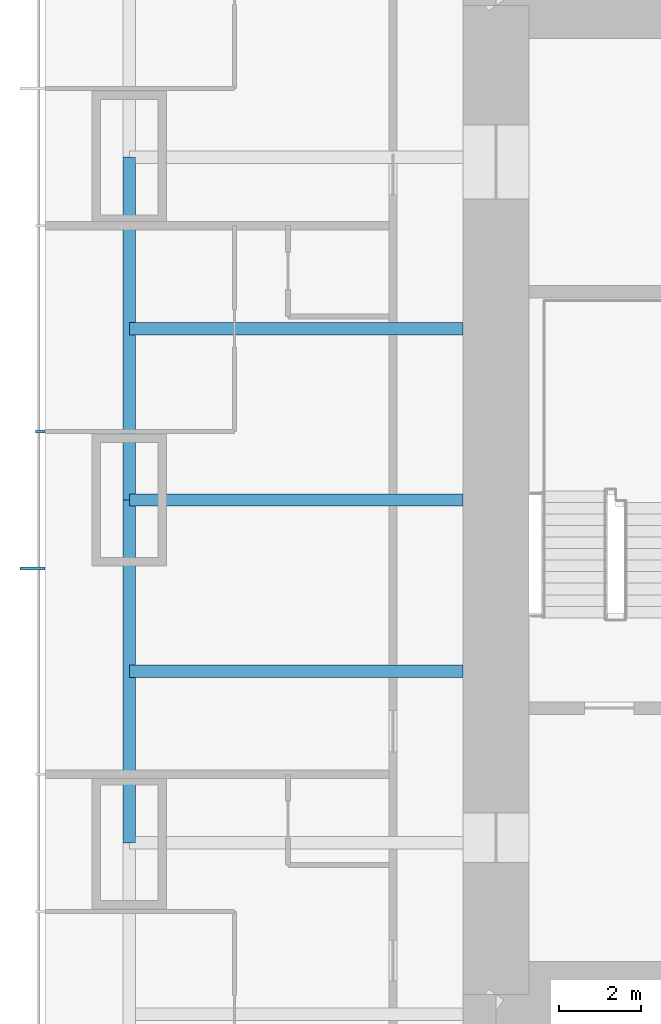
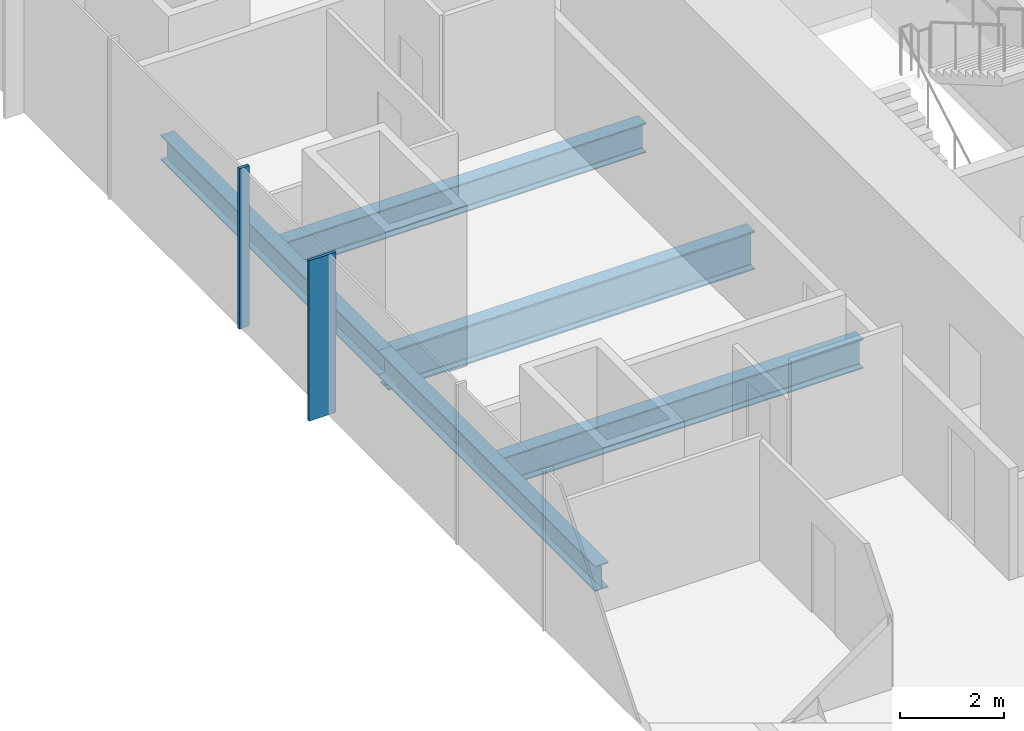
# One storey, part 3 of 12: 5 beams, 2 members, 1 element without a shape of its own.
"""IFC4 building model written with IfcOpenShell, lengths in metres."""

from ifc_helpers import new_model, si_unit, direction, frame, origin, origin_2d, place, context, subcontext, project, spatial, rectangle, i_section, extrude, material, material_profile, profile_set, type_object, element, aggregate, save


model = new_model("IFC4")

# Units and contexts
model_context = context("Model", 3, precision=1e-05, world=origin(), true_north=direction((0.0, 1.0)))
body_context = subcontext(model_context, "Body", "Model", "MODEL_VIEW")
ifc_project = project(units=[si_unit("LENGTHUNIT", "METRE"), si_unit("AREAUNIT", "SQUARE_METRE"), si_unit("VOLUMEUNIT", "CUBIC_METRE"), si_unit("PLANEANGLEUNIT", "RADIAN"), si_unit("MASSUNIT", "GRAM", prefix="KILO")], contexts=[model_context])

# Site, building, storey
site_placement = place(None, origin())
site = spatial("IfcSite", under=ifc_project, at=site_placement, CompositionType="ELEMENT")
building_placement = place(site_placement, origin())
building = spatial("IfcBuilding", under=site, at=building_placement, Name="Khuree Lantern Residences", CompositionType="ELEMENT")
storey_placement = place(building_placement, frame((0.0, 0.0, 203.25)))
storey = spatial("IfcBuildingStorey", under=building, at=storey_placement, Name="L50", CompositionType="ELEMENT", Elevation=203.25)

# Beams
ifc_material_1 = material(Name="Steel S355", Category="steel")
ifc_material_profile_1 = material_profile(ifc_material_1, i_section(OverallWidth=0.300048828125, OverallDepth=0.68994140625, WebThickness=0.014404296875, FlangeThickness=0.027099609375, FilletRadius=0.027099609375, at=origin_2d()), Name="HE 700 A")
ifc_profile_set_1 = profile_set([ifc_material_profile_1], Name="Steel S355")
beam_type_1 = type_object("IfcBeamType", Name="B-31 SECONDARY BEAM HE 700 A", PredefinedType="BEAM", material=ifc_profile_set_1)
for number, where, z_axis, x_axis, name in (
    (1, (-24.39990234375, -4.159912109375, -0.594970703125), (1.0, 0.0, 0.0), (0.0, 1.0, 0.0), "Secondary beam W3"),
    (2, (-24.39990234375, 4.159912109375, -0.594970703125), (1.0, 0.0, 0.0), (0.0, 1.0, 0.0), "Secondary beam W4"),
):
    element("IfcBeam", number, at=place(storey_placement, frame(where, z_axis=z_axis, x_axis=x_axis)), inside=storey, type_object=beam_type_1, Name=name, PredefinedType="BEAM", context=body_context, shape_type="SweptSolid", body=[
        extrude(i_section(OverallWidth=0.300048828125, OverallDepth=0.68994140625, WebThickness=0.014404296875, FlangeThickness=0.027099609375, FilletRadius=0.027099609375, at=origin_2d()), origin(), (0.0, 0.0, 1.0), 8.099853515625),
    ])
ifc_material_profile_2 = material_profile(ifc_material_1, i_section(OverallWidth=0.300048828125, OverallDepth=0.590087890625, WebThickness=0.012939453125, FlangeThickness=0.02490234375, FilletRadius=0.027099609375, at=origin_2d()), Name="HE 600 A")
ifc_profile_set_2 = profile_set([ifc_material_profile_2], Name="Steel S355")
beam_type_2 = type_object("IfcBeamType", Name="E-31 SPANDREL BEAM HE 600 A", PredefinedType="SPANDREL", material=ifc_profile_set_2)
for number, where, z_axis, x_axis, name in (
    (3, (-24.39990234375, -8.320068359375, -0.544921875), (0.0, 1.0, 0.0), (-1.0, 0.0, 0.0), "Spandrel beam W3"),
    (4, (-24.39990234375, 0.0, -0.544921875), (0.0, 1.0, 0.0), (-1.0, 0.0, 0.0), "Spandrel beam W4"),
):
    element("IfcBeam", number, at=place(storey_placement, frame(where, z_axis=z_axis, x_axis=x_axis)), inside=storey, type_object=beam_type_2, Name=name, PredefinedType="SPANDREL", context=body_context, shape_type="SweptSolid", body=[
        extrude(i_section(OverallWidth=0.300048828125, OverallDepth=0.590087890625, WebThickness=0.012939453125, FlangeThickness=0.02490234375, FilletRadius=0.027099609375, at=origin_2d()), origin(), (0.0, 0.0, 1.0), 8.320068359375),
    ])

# Curtain wall, member
ifc_material_2 = material(Name="Bronze anodised aluminium", Category="aluminium")
curtain_wall_type = type_object("IfcCurtainWallType", Name="CW-T1 TOWER FACE CURTAIN WALL", PredefinedType="USERDEFINED", material=ifc_material_2)
curtain_wall_placement = place(storey_placement, origin())
curtain_wall = element("IfcCurtainWall", 5, at=curtain_wall_placement, inside=storey, type_object=curtain_wall_type, Name="L50 WEST FACE CURTAIN WALL", ObjectType="Stick-built curtain wall", PredefinedType="USERDEFINED")
ifc_material_profile_3 = material_profile(ifc_material_2, rectangle(XDim=0.06494140625, YDim=0.60009765625, at=origin_2d()), Name="F1 65X600")
ifc_profile_set_3 = profile_set([ifc_material_profile_3], Name="Bronze anodised aluminium")
member_type_1 = type_object("IfcMemberType", Name="F1 BRONZE FIN MULLION TOWER 65X600", PredefinedType="MULLION", material=ifc_profile_set_3)
member_1_placement = place(storey_placement, frame((-26.75, -1.6640625, 0.0), z_axis=(0.0, 0.0, 1.0), x_axis=(0.0, -1.0, 0.0)))
member_1 = element("IfcMember", 6, at=member_1_placement, type_object=member_type_1, Name="L50 WEST FACE FIN MULLION 38", PredefinedType="MULLION", context=body_context, shape_type="SweptSolid", body=[
    extrude(rectangle(XDim=0.06494140625, YDim=0.60009765625, at=origin_2d()), origin(), (0.0, 0.0, 1.0), 3.75),
])

# Beam
ifc_material_profile_4 = material_profile(ifc_material_1, i_section(OverallWidth=0.300048828125, OverallDepth=0.89990234375, WebThickness=0.0185546875, FlangeThickness=0.034912109375, FilletRadius=0.030029296875, at=origin_2d()), Name="HE 900 B")
ifc_profile_set_4 = profile_set([ifc_material_profile_4], Name="Steel S355")
beam_type_3 = type_object("IfcBeamType", Name="G-31A GIRDER HE 900 B", PredefinedType="BEAM", material=ifc_profile_set_4)
beam_placement = place(storey_placement, frame((-24.39990234375, 0.0, -0.699951171875), z_axis=(1.0, 0.0, 0.0), x_axis=(0.0, 1.0, 0.0)))
element("IfcBeam", 7, at=beam_placement, inside=storey, type_object=beam_type_3, Name="Girder W3", PredefinedType="BEAM", context=body_context, shape_type="SweptSolid", body=[
    extrude(i_section(OverallWidth=0.300048828125, OverallDepth=0.89990234375, WebThickness=0.0185546875, FlangeThickness=0.034912109375, FilletRadius=0.030029296875, at=origin_2d()), origin(), (0.0, 0.0, 1.0), 8.099853515625),
])

# Member
ifc_material_profile_5 = material_profile(ifc_material_2, rectangle(XDim=0.06494140625, YDim=0.219970703125, at=origin_2d()), Name="M1 65X220")
ifc_profile_set_5 = profile_set([ifc_material_profile_5], Name="Bronze anodised aluminium")
member_type_2 = type_object("IfcMemberType", Name="M1 BRONZE MULLION TOWER 65X220", PredefinedType="MULLION", material=ifc_profile_set_5)
member_2_placement = place(storey_placement, frame((-26.56005859375, 1.6640625, 0.0), z_axis=(0.0, 0.0, 1.0), x_axis=(0.0, -1.0, 0.0)))
member_2 = element("IfcMember", 8, at=member_2_placement, type_object=member_type_2, Name="L50 WEST FACE MULLION 37", PredefinedType="MULLION", context=body_context, shape_type="SweptSolid", body=[
    extrude(rectangle(XDim=0.06494140625, YDim=0.219970703125, at=origin_2d()), origin(), (0.0, 0.0, 1.0), 3.75),
])

aggregate(curtain_wall, [member_2, member_1])

save(model, "model.ifc")
